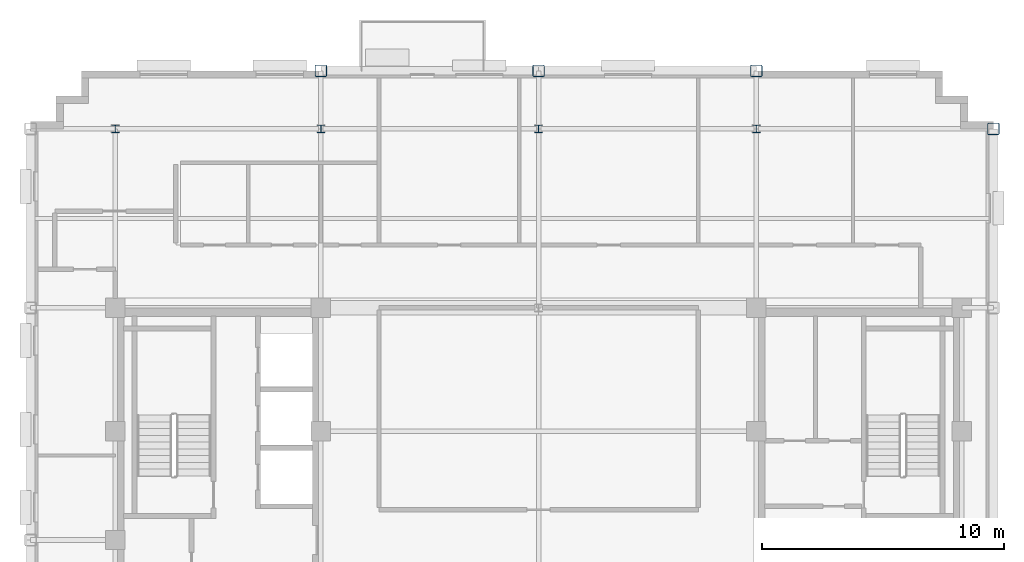
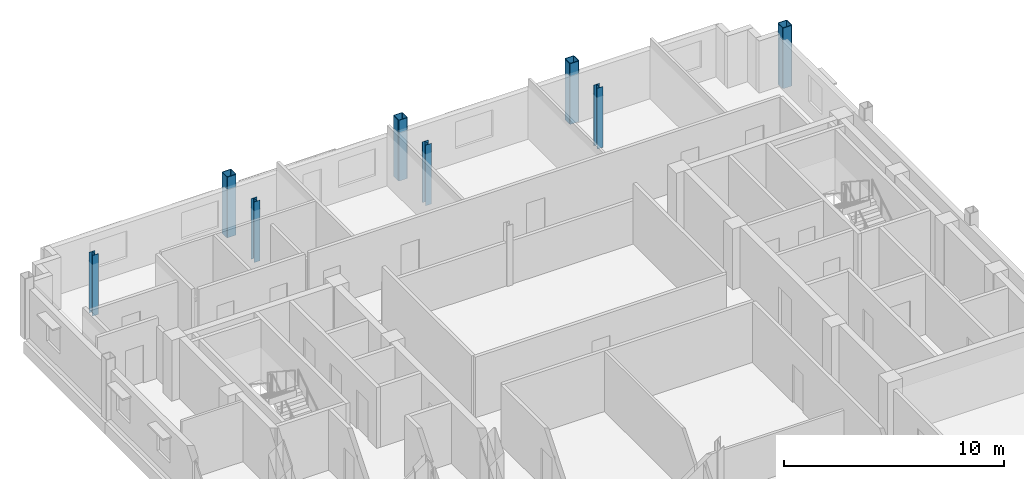
# One storey, part 3 of 13: 8 columns.
"""IFC4 building model written with IfcOpenShell, lengths in metres."""

from ifc_helpers import new_model, si_unit, direction, frame, origin, origin_2d, place, context, subcontext, project, spatial, hollow_rectangle, i_section, extrude, material, material_profile, profile_set, type_object, element, save


model = new_model("IFC4")

# Units and contexts
model_context = context("Model", 3, precision=1e-05, world=origin(), true_north=direction((0.0, 1.0)))
body_context = subcontext(model_context, "Body", "Model", "MODEL_VIEW")
ifc_project = project(units=[si_unit("LENGTHUNIT", "METRE"), si_unit("AREAUNIT", "SQUARE_METRE"), si_unit("VOLUMEUNIT", "CUBIC_METRE"), si_unit("PLANEANGLEUNIT", "RADIAN"), si_unit("MASSUNIT", "GRAM", prefix="KILO")], contexts=[model_context])

# Site, building, storey
site_placement = place(None, origin())
site = spatial("IfcSite", under=ifc_project, at=site_placement, CompositionType="ELEMENT")
building_placement = place(site_placement, origin())
building = spatial("IfcBuilding", under=site, at=building_placement, Name="Nuvemarco Arch Tower", CompositionType="ELEMENT")
storey_placement = place(building_placement, frame((0.0, 0.0, 265.25)))
storey = spatial("IfcBuildingStorey", under=building, at=storey_placement, Name="L70", CompositionType="ELEMENT", Elevation=265.25)

# Columns
ifc_material = material(Name="Steel S355", Category="steel")
ifc_material_profile_1 = material_profile(ifc_material, hollow_rectangle(XDim=0.5, YDim=0.5, WallThickness=0.031982421875, InnerFilletRadius=0.031982421875, OuterFilletRadius=0.06396484375, at=origin_2d()), Name="SHS500x500x32")
ifc_profile_set_1 = profile_set([ifc_material_profile_1], Name="Steel S355")
column_type_1 = type_object("IfcColumnType", Name="COL-EXO-500", PredefinedType="COLUMN", material=ifc_profile_set_1)
for number, where, z_axis, x_axis, name in (
    (1, (18.800048828125, 17.0, 0.0), (0.0, 0.0, 1.0), (1.0, 0.0, 0.0), "L70 column CX_+18.8_+17.0"),
    (2, (-9.0, 19.39990234375, 0.0), (0.0, 0.0, 1.0), (1.0, 0.0, 0.0), "L70 column CY_-9.0_+19.4"),
    (3, (0.0, 19.39990234375, 0.0), (0.0, 0.0, 1.0), (1.0, 0.0, 0.0), "L70 column CY_+0.0_+19.4"),
    (4, (9.0, 19.39990234375, 0.0), (0.0, 0.0, 1.0), (1.0, 0.0, 0.0), "L70 column CY_+9.0_+19.4"),
):
    element("IfcColumn", number, at=place(storey_placement, frame(where, z_axis=z_axis, x_axis=x_axis)), inside=storey, type_object=column_type_1, Name=name, PredefinedType="COLUMN", context=body_context, shape_type="SweptSolid", body=[
        extrude(hollow_rectangle(XDim=0.5, YDim=0.5, WallThickness=0.031982421875, InnerFilletRadius=0.031982421875, OuterFilletRadius=0.06396484375, at=origin_2d()), origin(), (0.0, 0.0, 1.0), 3.3701171875),
    ])
ifc_material_profile_2 = material_profile(ifc_material, i_section(OverallWidth=0.31005859375, OverallDepth=0.31005859375, WebThickness=0.015380859375, FlangeThickness=0.015380859375, FilletRadius=0.014892578125, at=origin_2d()), Name="HP310x110")
ifc_profile_set_2 = profile_set([ifc_material_profile_2], Name="Steel S355")
column_type_2 = type_object("IfcColumnType", Name="COL-STL-HP310", PredefinedType="COLUMN", material=ifc_profile_set_2)
for number, where, z_axis, x_axis, name in (
    (5, (0.0, 17.0, 0.0), (0.0, 0.0, 1.0), (1.0, 0.0, 0.0), "L70 column CI_+0.0_+17.0"),
    (6, (-17.5, 17.0, 0.0), (0.0, 0.0, 1.0), (1.0, 0.0, 0.0), "L70 column CI_-17.5_+17.0"),
    (7, (-9.0, 17.0, 0.0), (0.0, 0.0, 1.0), (1.0, 0.0, 0.0), "L70 column CI_-9.0_+17.0"),
    (8, (9.0, 17.0, 0.0), (0.0, 0.0, 1.0), (1.0, 0.0, 0.0), "L70 column CI_+9.0_+17.0"),
):
    element("IfcColumn", number, at=place(storey_placement, frame(where, z_axis=z_axis, x_axis=x_axis)), inside=storey, type_object=column_type_2, Name=name, PredefinedType="COLUMN", context=body_context, shape_type="SweptSolid", body=[
        extrude(i_section(OverallWidth=0.31005859375, OverallDepth=0.31005859375, WebThickness=0.015380859375, FlangeThickness=0.015380859375, FilletRadius=0.014892578125, at=origin_2d()), origin(), (0.0, 0.0, 1.0), 3.3701171875),
    ])

save(model, "model.ifc")
